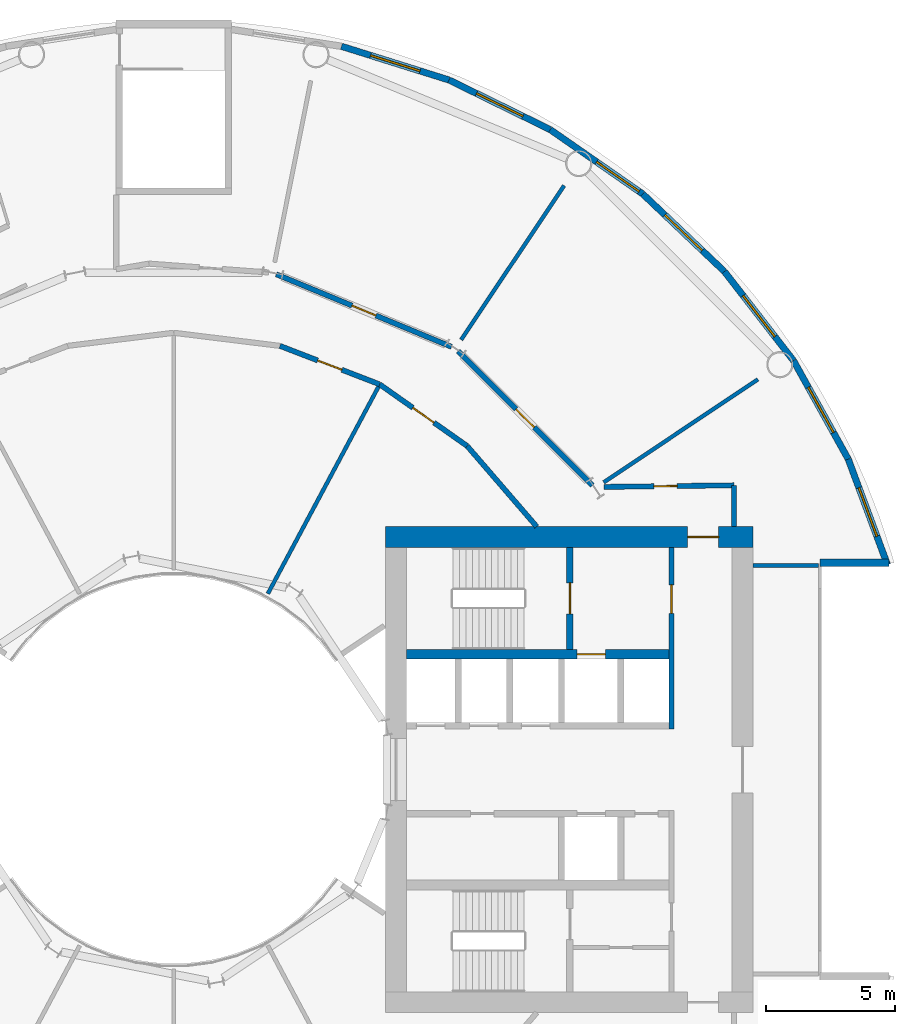
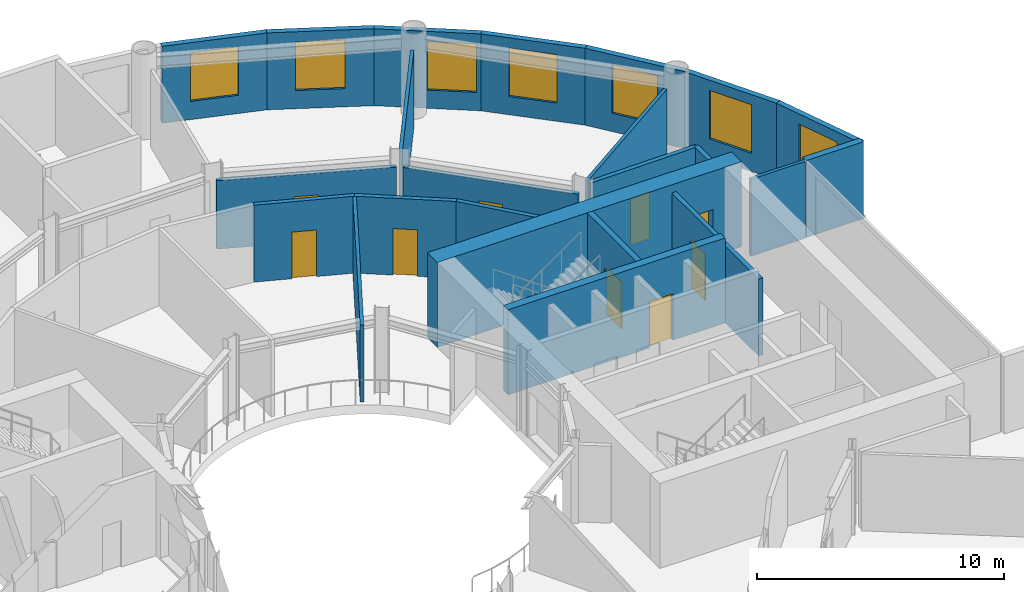
# One storey, part 9 of 13: 23 walls, 9 doors, 7 windows, 16 openings.
"""IFC4 building model written with IfcOpenShell, lengths in metres."""

from ifc_helpers import new_model, si_unit, direction, frame, frame_2d, origin, place, context, subcontext, project, spatial, rectangle, extrude, material, layer, layer_set, type_object, element, fill, save


model = new_model("IFC4")

# Units and contexts
model_context = context("Model", 3, precision=1e-05, world=origin(), true_north=direction((0.0, 1.0)))
body_context = subcontext(model_context, "Body", "Model", "MODEL_VIEW")
ifc_project = project(units=[si_unit("LENGTHUNIT", "METRE"), si_unit("AREAUNIT", "SQUARE_METRE"), si_unit("VOLUMEUNIT", "CUBIC_METRE"), si_unit("PLANEANGLEUNIT", "RADIAN"), si_unit("MASSUNIT", "GRAM", prefix="KILO")], contexts=[model_context])

# Site, building, storey
site_placement = place(None, origin())
site = spatial("IfcSite", under=ifc_project, at=site_placement, CompositionType="ELEMENT")
building_placement = place(site_placement, origin())
building = spatial("IfcBuilding", under=site, at=building_placement, Name="Maasbend Ring Residences", CompositionType="ELEMENT")
storey_placement = place(building_placement, frame((0.0, 0.0, 14.10009765625)))
storey = spatial("IfcBuildingStorey", under=building, at=storey_placement, Name="L03", CompositionType="ELEMENT", Elevation=14.10009765625)

# Wall, opening, door
ifc_material_1 = material(Name="Concrete C70/85", Category="concrete")
ifc_layer_1 = layer(ifc_material_1, 0.25)
ifc_layer_set_1 = layer_set([ifc_layer_1], Name="Concrete C70/85")
wall_type_1 = type_object("IfcWallType", Name="CORE WALL 250 C70/85", PredefinedType="SHEAR", material=ifc_layer_set_1)
wall_1_placement = place(storey_placement, frame((15.324951171875, 4.64990234375, 0.0), z_axis=(0.0, 0.0, 1.0), x_axis=(0.0, 1.0, 0.0)))
wall_1 = element("IfcWall", 1, at=wall_1_placement, inside=storey, type_object=wall_type_1, Name="L03 core E wall STEN", PredefinedType="SHEAR", context=body_context, shape_type="SweptSolid", body=[
    extrude(rectangle(XDim=3.9501953125, YDim=0.25, at=frame_2d((1.97509765625, 0.0))), origin(), (0.0, 0.0, 1.0), 4.199951171875),
])
opening_1_placement = place(wall_1_placement, frame((1.375, 0.0, 0.0)))
opening_1 = element("IfcOpeningElement", 2, at=opening_1_placement, cuts=wall_1, Name="Opening D-E0309", PredefinedType="OPENING", context=body_context, shape_type="SweptSolid", body=[
    extrude(rectangle(XDim=1.199951171875, YDim=2.300048828125, at=frame_2d((0.60009765625, 1.14990234375))), frame((0.0, 0.135009765625, 0.0), z_axis=(0.0, -1.0, 0.0), x_axis=(1.0, 0.0, 0.0)), (0.0, 0.0, 1.0), 0.27001953125),
])
ifc_material_2 = material(Name="Steel, powder coated", Category="steel")
door_type_1 = type_object("IfcDoorType", Name="STAIR DOOR 1200 X 2300 FD60", OperationType="NOTDEFINED", PredefinedType="DOOR", material=ifc_material_2)
door_1_placement = place(opening_1_placement, origin())
door_1 = element("IfcDoor", 3, at=door_1_placement, inside=storey, type_object=door_type_1, Name="Stair door ST-E L03", OperationType="SINGLE_SWING_LEFT", OverallHeight=2.300048828125, OverallWidth=1.199951171875, PredefinedType="DOOR", context=body_context, shape_type="SweptSolid", body=[
    extrude(rectangle(XDim=1.199951171875, YDim=2.300048828125, at=frame_2d((0.60009765625, 1.14990234375))), frame((0.0, 0.02490234375, 0.0), z_axis=(0.0, -1.0, 0.0), x_axis=(1.0, 0.0, 0.0)), (0.0, 0.0, 1.0), 0.050048828125),
])
fill(opening_1, door_1)

ifc_material_3 = material(Name="Concrete C70/85", Category="concrete")
ifc_layer_2 = layer(ifc_material_3, 0.375)
ifc_layer_set_2 = layer_set([ifc_layer_2], Name="Concrete C70/85")
wall_type_2 = type_object("IfcWallType", Name="CORE WALL 375 C70/85", PredefinedType="SHEAR", material=ifc_layer_set_2)
wall_2_placement = place(storey_placement, frame((9.0, 4.46240234375, 0.0), z_axis=(0.0, 0.0, 1.0), x_axis=(1.0, 0.0, 0.0)))
wall_2 = element("IfcWall", 4, at=wall_2_placement, inside=storey, type_object=wall_type_2, Name="L03 core E wall BN", PredefinedType="SHEAR", context=body_context, shape_type="SweptSolid", body=[
    extrude(rectangle(XDim=10.14990234375, YDim=0.375, at=frame_2d((5.074951171875, 0.0))), origin(), (0.0, 0.0, 1.0), 4.199951171875),
])
opening_2_placement = place(wall_2_placement, frame((6.60009765625, 0.0, 0.0)))
opening_2 = element("IfcOpeningElement", 5, at=opening_2_placement, cuts=wall_2, Name="Opening LD-E0304", PredefinedType="OPENING", context=body_context, shape_type="SweptSolid", body=[
    extrude(rectangle(XDim=1.10009765625, YDim=2.300048828125, at=frame_2d((0.550048828125, 1.14990234375))), frame((0.0, 0.197509765625, 0.0), z_axis=(0.0, -1.0, 0.0), x_axis=(1.0, 0.0, 0.0)), (0.0, 0.0, 1.0), 0.39501953125),
])
ifc_material_4 = material(Name="Stainless steel 316", Category="steel")
door_type_2 = type_object("IfcDoorType", Name="LANDING DOOR 1100 X 2300 FD60", OperationType="DOUBLE_DOOR_SLIDING", PredefinedType="DOOR", material=ifc_material_4)
door_2_placement = place(opening_2_placement, origin())
door_2 = element("IfcDoor", 6, at=door_2_placement, inside=storey, type_object=door_type_2, Name="Landing door FF-E L03", OperationType="DOUBLE_DOOR_SLIDING", OverallHeight=2.300048828125, OverallWidth=1.10009765625, PredefinedType="DOOR", context=body_context, shape_type="SweptSolid", body=[
    extrude(rectangle(XDim=1.10009765625, YDim=2.300048828125, at=frame_2d((0.550048828125, 1.14990234375))), frame((0.0, 0.02490234375, 0.0), z_axis=(0.0, -1.0, 0.0), x_axis=(1.0, 0.0, 0.0)), (0.0, 0.0, 1.0), 0.050048828125),
])
fill(opening_2, door_2)

ifc_material_5 = material(Name="Concrete C70/85", Category="concrete")
ifc_layer_3 = layer(ifc_material_5, 0.800048828125)
ifc_layer_set_3 = layer_set([ifc_layer_3], Name="Concrete C70/85")
wall_type_3 = type_object("IfcWallType", Name="CORE WALL 800 C70/85", PredefinedType="SHEAR", material=ifc_layer_set_3)
wall_3_placement = place(storey_placement, frame((22.39990234375, 9.0, 0.0), z_axis=(0.0, 0.0, 1.0), x_axis=(-1.0, 0.0, 0.0)))
wall_3 = element("IfcWall", 7, at=wall_3_placement, inside=storey, type_object=wall_type_3, Name="L03 core E wall PN", PredefinedType="SHEAR", context=body_context, shape_type="SweptSolid", body=[
    extrude(rectangle(XDim=14.199951171875, YDim=0.800048828125, at=frame_2d((7.10009765625, 0.0))), origin(), (0.0, 0.0, 1.0), 4.199951171875),
])
opening_3_placement = place(wall_3_placement, frame((1.324951171875, 0.0, 0.0)))
opening_3 = element("IfcOpeningElement", 8, at=opening_3_placement, cuts=wall_3, Name="Opening D-E0313", PredefinedType="OPENING", context=body_context, shape_type="SweptSolid", body=[
    extrude(rectangle(XDim=1.199951171875, YDim=2.300048828125, at=frame_2d((0.60009765625, 1.14990234375))), frame((0.0, 0.41015625, 0.0), z_axis=(0.0, -1.0, 0.0), x_axis=(1.0, 0.0, 0.0)), (0.0, 0.0, 1.0), 0.820068359375),
])
ifc_material_6 = material(Name="Steel, powder coated", Category="steel")
door_type_3 = type_object("IfcDoorType", Name="CORRIDOR DOOR 1200 X 2300 FD30S", OperationType="NOTDEFINED", PredefinedType="DOOR", material=ifc_material_6)
door_3_placement = place(opening_3_placement, origin())
door_3 = element("IfcDoor", 9, at=door_3_placement, inside=storey, type_object=door_type_3, Name="Corridor door L03", OperationType="SINGLE_SWING_RIGHT", OverallHeight=2.300048828125, OverallWidth=1.199951171875, PredefinedType="DOOR", context=body_context, shape_type="SweptSolid", body=[
    extrude(rectangle(XDim=1.199951171875, YDim=2.300048828125, at=frame_2d((0.60009765625, 1.14990234375))), frame((0.0, 0.02490234375, 0.0), z_axis=(0.0, -1.0, 0.0), x_axis=(1.0, 0.0, 0.0)), (0.0, 0.0, 1.0), 0.050048828125),
])
fill(opening_3, door_3)

# Wall
ifc_material_7 = material(Name="Concrete C30/37", Category="concrete")
ifc_layer_4 = layer(ifc_material_7, 0.199951171875)
ifc_layer_set_4 = layer_set([ifc_layer_4], Name="Concrete C30/37")
wall_type_4 = type_object("IfcWallType", Name="CORRIDOR WALL 200 CONCRETE", PredefinedType="PARTITIONING", material=ifc_layer_set_4)
wall_4_placement = place(storey_placement, frame((21.675048828125, 9.39990234375, 0.0), z_axis=(0.0, 0.0, 1.0), x_axis=(0.0, 1.0, 0.0)))
element("IfcWall", 10, at=wall_4_placement, inside=storey, type_object=wall_type_4, Name="U-L03-w003", PredefinedType="PARTITIONING", context=body_context, shape_type="SweptSolid", body=[
    extrude(rectangle(XDim=1.60009765625, YDim=0.199951171875, at=frame_2d((0.800048828125, 0.0))), origin(), (0.0, 0.0, 1.0), 3.7998046875),
])

# Wall, opening, door
wall_5_placement = place(storey_placement, frame((16.64306640625, 10.93798828125, 0.0), z_axis=(0.0, 0.0, 1.0), x_axis=(0.999924074118, 0.012322580895, 0.0)))
wall_5 = element("IfcWall", 11, at=wall_5_placement, inside=storey, type_object=wall_type_4, Name="U-L03-w049", PredefinedType="PARTITIONING", context=body_context, shape_type="SweptSolid", body=[
    extrude(rectangle(XDim=5.032470703125, YDim=0.199951171875, at=frame_2d((2.51611328125, 0.0))), origin(), (0.0, 0.0, 1.0), 3.7998046875),
])
opening_4_placement = place(wall_5_placement, frame((1.927978515625, 0.0, 0.0)))
opening_4 = element("IfcOpeningElement", 12, at=opening_4_placement, cuts=wall_5, Name="Opening D-0328", PredefinedType="OPENING", context=body_context, shape_type="SweptSolid", body=[
    extrude(rectangle(XDim=0.89990234375, YDim=2.300048828125, at=frame_2d((0.449951171875, 1.14990234375))), frame((0.0, 0.10986328125, 0.0), z_axis=(0.0, -1.0, 0.0), x_axis=(1.0, 0.0, 0.0)), (0.0, 0.0, 1.0), 0.219970703125),
])
ifc_material_8 = material(Name="Steel, fire-rated, painted", Category="steel")
door_type_4 = type_object("IfcDoorType", Name="SERVICE DOOR 900 X 2300 FIRE-RATED", OperationType="NOTDEFINED", PredefinedType="DOOR", material=ifc_material_8)
door_4_placement = place(opening_4_placement, origin())
door_4 = element("IfcDoor", 13, at=door_4_placement, inside=storey, type_object=door_type_4, Name="D-0328", OperationType="SINGLE_SWING_LEFT", OverallHeight=2.300048828125, OverallWidth=0.89990234375, PredefinedType="DOOR", context=body_context, shape_type="SweptSolid", body=[
    extrude(rectangle(XDim=0.89990234375, YDim=2.300048828125, at=frame_2d((0.449951171875, 1.14990234375))), frame((0.0, 0.02490234375, 0.0), z_axis=(0.0, -1.0, 0.0), x_axis=(1.0, 0.0, 0.0)), (0.0, 0.0, 1.0), 0.050048828125),
])
fill(opening_4, door_4)

wall_6_placement = place(storey_placement, frame((4.10595703125, 16.39404296875, 0.0), z_axis=(0.0, 0.0, 1.0), x_axis=(0.932943640288, -0.360022449363, 0.0)))
wall_6 = element("IfcWall", 14, at=wall_6_placement, inside=storey, type_object=wall_type_4, Name="U-L03-w055", PredefinedType="PARTITIONING", context=body_context, shape_type="SweptSolid", body=[
    extrude(rectangle(XDim=4.138671875, YDim=0.199951171875, at=frame_2d((2.0693359375, 0.0))), origin(), (0.0, 0.0, 1.0), 3.7998046875),
])
opening_5_placement = place(wall_6_placement, frame((1.569091796875, 0.0, 0.0)))
opening_5 = element("IfcOpeningElement", 15, at=opening_5_placement, cuts=wall_6, Name="Opening D-0314", PredefinedType="OPENING", context=body_context, shape_type="SweptSolid", body=[
    extrude(rectangle(XDim=1.0, YDim=2.300048828125, at=frame_2d((0.5, 1.14990234375))), frame((0.0, 0.10986328125, 0.0), z_axis=(0.0, -1.0, 0.0), x_axis=(1.0, 0.0, 0.0)), (0.0, 0.0, 1.0), 0.219970703125),
])
ifc_material_9 = material(Name="Timber, painted", Category="wood")
door_type_5 = type_object("IfcDoorType", Name="ROOM DOOR 1000 X 2300", OperationType="NOTDEFINED", PredefinedType="DOOR", material=ifc_material_9)
door_5_placement = place(opening_5_placement, origin())
door_5 = element("IfcDoor", 16, at=door_5_placement, inside=storey, type_object=door_type_5, Name="D-0314", OperationType="SINGLE_SWING_LEFT", OverallHeight=2.300048828125, OverallWidth=1.0, PredefinedType="DOOR", context=body_context, shape_type="SweptSolid", body=[
    extrude(rectangle(XDim=1.0, YDim=2.300048828125, at=frame_2d((0.5, 1.14990234375))), frame((0.0, 0.02490234375, 0.0), z_axis=(0.0, -1.0, 0.0), x_axis=(1.0, 0.0, 0.0)), (0.0, 0.0, 1.0), 0.050048828125),
])
fill(opening_5, door_5)

wall_7_placement = place(storey_placement, frame((7.967041015625, 14.904052734375, 0.0), z_axis=(0.0, 0.0, 1.0), x_axis=(0.817567680547, -0.575832517079, 0.0)))
wall_7 = element("IfcWall", 17, at=wall_7_placement, inside=storey, type_object=wall_type_4, Name="U-L03-w056", PredefinedType="PARTITIONING", context=body_context, shape_type="SweptSolid", body=[
    extrude(rectangle(XDim=4.13671875, YDim=0.199951171875, at=frame_2d((2.068359375, 0.0))), origin(), (0.0, 0.0, 1.0), 3.7998046875),
])
opening_6_placement = place(wall_7_placement, frame((1.568115234375, 0.0, 0.0)))
opening_6 = element("IfcOpeningElement", 18, at=opening_6_placement, cuts=wall_7, Name="Opening D-0313", PredefinedType="OPENING", context=body_context, shape_type="SweptSolid", body=[
    extrude(rectangle(XDim=1.0, YDim=2.300048828125, at=frame_2d((0.5, 1.14990234375))), frame((0.0, 0.10986328125, 0.0), z_axis=(0.0, -1.0, 0.0), x_axis=(1.0, 0.0, 0.0)), (0.0, 0.0, 1.0), 0.219970703125),
])
door_6_placement = place(opening_6_placement, origin())
door_6 = element("IfcDoor", 19, at=door_6_placement, inside=storey, type_object=door_type_5, Name="D-0313", OperationType="SINGLE_SWING_LEFT", OverallHeight=2.300048828125, OverallWidth=1.0, PredefinedType="DOOR", context=body_context, shape_type="SweptSolid", body=[
    extrude(rectangle(XDim=1.0, YDim=2.300048828125, at=frame_2d((0.5, 1.14990234375))), frame((0.0, 0.02490234375, 0.0), z_axis=(0.0, -1.0, 0.0), x_axis=(1.0, 0.0, 0.0)), (0.0, 0.0, 1.0), 0.050048828125),
])
fill(opening_6, door_6)

# Wall
wall_8_placement = place(storey_placement, frame((11.34912109375, 12.52197265625, 0.0), z_axis=(0.0, 0.0, 1.0), x_axis=(0.653274518104, -0.757121129012, 0.0)))
element("IfcWall", 20, at=wall_8_placement, inside=storey, type_object=wall_type_4, Name="U-L03-w057", PredefinedType="PARTITIONING", context=body_context, shape_type="SweptSolid", body=[
    extrude(rectangle(XDim=4.12353515625, YDim=0.199951171875, at=frame_2d((2.061767578125, 0.0))), origin(), (0.0, 0.0, 1.0), 3.7998046875),
])

# Wall, opening, door
wall_9_placement = place(storey_placement, frame((3.966064453125, 19.1640625, 0.0), z_axis=(0.0, 0.0, 1.0), x_axis=(0.923912243701, -0.382604451019, 0.0)))
wall_9 = element("IfcWall", 21, at=wall_9_placement, inside=storey, type_object=wall_type_4, Name="U-L03-w059", PredefinedType="PARTITIONING", context=body_context, shape_type="SweptSolid", body=[
    extrude(rectangle(XDim=7.33935546875, YDim=0.199951171875, at=frame_2d((3.669677734375, 0.0))), origin(), (0.0, 0.0, 1.0), 3.3798828125),
])
opening_7_placement = place(wall_9_placement, frame((3.169921875, 0.0, 0.0)))
opening_7 = element("IfcOpeningElement", 22, at=opening_7_placement, cuts=wall_9, Name="Opening D-0310", PredefinedType="OPENING", context=body_context, shape_type="SweptSolid", body=[
    extrude(rectangle(XDim=1.0, YDim=2.300048828125, at=frame_2d((0.5, 1.14990234375))), frame((0.0, 0.10986328125, 0.0), z_axis=(0.0, -1.0, 0.0), x_axis=(1.0, 0.0, 0.0)), (0.0, 0.0, 1.0), 0.219970703125),
])
door_7_placement = place(opening_7_placement, origin())
door_7 = element("IfcDoor", 23, at=door_7_placement, inside=storey, type_object=door_type_5, Name="D-0310", OperationType="SINGLE_SWING_RIGHT", OverallHeight=2.300048828125, OverallWidth=1.0, PredefinedType="DOOR", context=body_context, shape_type="SweptSolid", body=[
    extrude(rectangle(XDim=1.0, YDim=2.300048828125, at=frame_2d((0.5, 1.14990234375))), frame((0.0, 0.02490234375, 0.0), z_axis=(0.0, -1.0, 0.0), x_axis=(1.0, 0.0, 0.0)), (0.0, 0.0, 1.0), 0.050048828125),
])
fill(opening_7, door_7)

wall_10_placement = place(storey_placement, frame((10.998046875, 16.18798828125, 0.0), z_axis=(0.0, 0.0, 1.0), x_axis=(0.707106781187, -0.707106781187, 0.0)))
wall_10 = element("IfcWall", 24, at=wall_10_placement, inside=storey, type_object=wall_type_4, Name="U-L03-w060", PredefinedType="PARTITIONING", context=body_context, shape_type="SweptSolid", body=[
    extrude(rectangle(XDim=7.339599609375, YDim=0.199951171875, at=frame_2d((3.669921875, 0.0))), origin(), (0.0, 0.0, 1.0), 3.3798828125),
])
opening_8_placement = place(wall_10_placement, frame((3.169921875, 0.0, 0.0)))
opening_8 = element("IfcOpeningElement", 25, at=opening_8_placement, cuts=wall_10, Name="Opening D-0309", PredefinedType="OPENING", context=body_context, shape_type="SweptSolid", body=[
    extrude(rectangle(XDim=1.0, YDim=2.300048828125, at=frame_2d((0.5, 1.14990234375))), frame((0.0, 0.10986328125, 0.0), z_axis=(0.0, -1.0, 0.0), x_axis=(1.0, 0.0, 0.0)), (0.0, 0.0, 1.0), 0.219970703125),
])
door_8_placement = place(opening_8_placement, origin())
door_8 = element("IfcDoor", 26, at=door_8_placement, inside=storey, type_object=door_type_5, Name="D-0309", OperationType="SINGLE_SWING_RIGHT", OverallHeight=2.300048828125, OverallWidth=1.0, PredefinedType="DOOR", context=body_context, shape_type="SweptSolid", body=[
    extrude(rectangle(XDim=1.0, YDim=2.300048828125, at=frame_2d((0.5, 1.14990234375))), frame((0.0, 0.02490234375, 0.0), z_axis=(0.0, -1.0, 0.0), x_axis=(1.0, 0.0, 0.0)), (0.0, 0.0, 1.0), 0.050048828125),
])
fill(opening_8, door_8)

# Wall, opening, window
ifc_material_10 = material(Name="Aluminium clad insulated panel", Category="aluminium")
ifc_layer_5 = layer(ifc_material_10, 0.25)
ifc_layer_set_5 = layer_set([ifc_layer_5], Name="EW-GL")
wall_type_5 = type_object("IfcWallType", Name="EW-GL", PredefinedType="SOLIDWALL", material=ifc_layer_set_5)
wall_11_placement = place(storey_placement, frame((27.610107421875, 7.924072265625, 0.0), z_axis=(0.0, 0.0, 1.0), x_axis=(-0.348003729264, 0.937493148998, 0.0)))
wall_11 = element("IfcWall", 27, at=wall_11_placement, inside=storey, type_object=wall_type_5, Name="Community floor wall 01", PredefinedType="SOLIDWALL", context=body_context, shape_type="SweptSolid", body=[
    extrude(rectangle(XDim=4.359375, YDim=0.25, at=frame_2d((2.1796875, 0.0))), origin(), (0.0, 0.0, 1.0), 3.7998046875),
])
opening_9_placement = place(wall_11_placement, frame((1.179931640625, 0.0, 0.89990234375)))
opening_9 = element("IfcOpeningElement", 28, at=opening_9_placement, cuts=wall_11, Name="Opening W-BD", PredefinedType="OPENING", context=body_context, shape_type="SweptSolid", body=[
    extrude(rectangle(XDim=2.0, YDim=2.39990234375, at=frame_2d((1.0, 1.199951171875))), frame((0.0, 0.135009765625, 0.0), z_axis=(0.0, -1.0, 0.0), x_axis=(1.0, 0.0, 0.0)), (0.0, 0.0, 1.0), 0.27001953125),
])
ifc_material_11 = material(Name="Aluminium and clear glass", Category="aluminium")
window_type = type_object("IfcWindowType", Name="W-BD", PartitioningType="DOUBLE_PANEL_VERTICAL", PredefinedType="WINDOW", material=ifc_material_11)
window_1_placement = place(opening_9_placement, origin())
window_1 = element("IfcWindow", 29, at=window_1_placement, inside=storey, type_object=window_type, Name="Community floor window 01", OverallHeight=2.39990234375, OverallWidth=2.0, PartitioningType="SINGLE_PANEL", PredefinedType="WINDOW", context=body_context, shape_type="SweptSolid", body=[
    extrude(rectangle(XDim=2.0, YDim=2.39990234375, at=frame_2d((1.0, 1.199951171875))), frame((0.0, 0.030029296875, 0.0), z_axis=(0.0, -1.0, 0.0), x_axis=(1.0, 0.0, 0.0)), (0.0, 0.0, 1.0), 0.06005859375),
])
fill(opening_9, window_1)

wall_12_placement = place(storey_placement, frame((26.093017578125, 12.010986328125, 0.0), z_axis=(0.0, 0.0, 1.0), x_axis=(-0.485761785263, 0.8740912355, 0.0)))
wall_12 = element("IfcWall", 30, at=wall_12_placement, inside=storey, type_object=wall_type_5, Name="Community floor wall 02", PredefinedType="SOLIDWALL", context=body_context, shape_type="SweptSolid", body=[
    extrude(rectangle(XDim=4.360107421875, YDim=0.25, at=frame_2d((2.18017578125, 0.0))), origin(), (0.0, 0.0, 1.0), 3.7998046875),
])
opening_10_placement = place(wall_12_placement, frame((1.179931640625, 0.0, 0.89990234375)))
opening_10 = element("IfcOpeningElement", 31, at=opening_10_placement, cuts=wall_12, Name="Opening W-BD", PredefinedType="OPENING", context=body_context, shape_type="SweptSolid", body=[
    extrude(rectangle(XDim=2.0, YDim=2.39990234375, at=frame_2d((1.0, 1.199951171875))), frame((0.0, 0.135009765625, 0.0), z_axis=(0.0, -1.0, 0.0), x_axis=(1.0, 0.0, 0.0)), (0.0, 0.0, 1.0), 0.27001953125),
])
window_2_placement = place(opening_10_placement, origin())
window_2 = element("IfcWindow", 32, at=window_2_placement, inside=storey, type_object=window_type, Name="Community floor window 02", OverallHeight=2.39990234375, OverallWidth=2.0, PartitioningType="SINGLE_PANEL", PredefinedType="WINDOW", context=body_context, shape_type="SweptSolid", body=[
    extrude(rectangle(XDim=2.0, YDim=2.39990234375, at=frame_2d((1.0, 1.199951171875))), frame((0.0, 0.030029296875, 0.0), z_axis=(0.0, -1.0, 0.0), x_axis=(1.0, 0.0, 0.0)), (0.0, 0.0, 1.0), 0.06005859375),
])
fill(opening_10, window_2)

wall_13_placement = place(storey_placement, frame((23.97509765625, 15.822021484375, 0.0), z_axis=(0.0, 0.0, 1.0), x_axis=(-0.612637256412, 0.790364214812, 0.0)))
wall_13 = element("IfcWall", 33, at=wall_13_placement, inside=storey, type_object=wall_type_5, Name="Community floor wall 03", PredefinedType="SOLIDWALL", context=body_context, shape_type="SweptSolid", body=[
    extrude(rectangle(XDim=4.360107421875, YDim=0.25, at=frame_2d((2.18017578125, 0.0))), origin(), (0.0, 0.0, 1.0), 3.7998046875),
])
opening_11_placement = place(wall_13_placement, frame((1.179931640625, 0.0, 0.89990234375)))
opening_11 = element("IfcOpeningElement", 34, at=opening_11_placement, cuts=wall_13, Name="Opening W-BD", PredefinedType="OPENING", context=body_context, shape_type="SweptSolid", body=[
    extrude(rectangle(XDim=2.0, YDim=2.39990234375, at=frame_2d((1.0, 1.199951171875))), frame((0.0, 0.135009765625, 0.0), z_axis=(0.0, -1.0, 0.0), x_axis=(1.0, 0.0, 0.0)), (0.0, 0.0, 1.0), 0.27001953125),
])
window_3_placement = place(opening_11_placement, origin())
window_3 = element("IfcWindow", 35, at=window_3_placement, inside=storey, type_object=window_type, Name="Community floor window 03", OverallHeight=2.39990234375, OverallWidth=2.0, PartitioningType="SINGLE_PANEL", PredefinedType="WINDOW", context=body_context, shape_type="SweptSolid", body=[
    extrude(rectangle(XDim=2.0, YDim=2.39990234375, at=frame_2d((1.0, 1.199951171875))), frame((0.0, 0.030029296875, 0.0), z_axis=(0.0, -1.0, 0.0), x_axis=(1.0, 0.0, 0.0)), (0.0, 0.0, 1.0), 0.06005859375),
])
fill(opening_11, window_3)

wall_14_placement = place(storey_placement, frame((21.303955078125, 19.26806640625, 0.0), z_axis=(0.0, 0.0, 1.0), x_axis=(-0.725101501119, 0.68864200647, 0.0)))
wall_14 = element("IfcWall", 36, at=wall_14_placement, inside=storey, type_object=wall_type_5, Name="Community floor wall 04", PredefinedType="SOLIDWALL", context=body_context, shape_type="SweptSolid", body=[
    extrude(rectangle(XDim=4.359130859375, YDim=0.25, at=frame_2d((2.1796875, 0.0))), origin(), (0.0, 0.0, 1.0), 3.7998046875),
])
opening_12_placement = place(wall_14_placement, frame((1.179931640625, 0.0, 0.89990234375)))
opening_12 = element("IfcOpeningElement", 37, at=opening_12_placement, cuts=wall_14, Name="Opening W-BD", PredefinedType="OPENING", context=body_context, shape_type="SweptSolid", body=[
    extrude(rectangle(XDim=2.0, YDim=2.39990234375, at=frame_2d((1.0, 1.199951171875))), frame((0.0, 0.135009765625, 0.0), z_axis=(0.0, -1.0, 0.0), x_axis=(1.0, 0.0, 0.0)), (0.0, 0.0, 1.0), 0.27001953125),
])
window_4_placement = place(opening_12_placement, origin())
window_4 = element("IfcWindow", 38, at=window_4_placement, inside=storey, type_object=window_type, Name="Community floor window 04", OverallHeight=2.39990234375, OverallWidth=2.0, PartitioningType="SINGLE_PANEL", PredefinedType="WINDOW", context=body_context, shape_type="SweptSolid", body=[
    extrude(rectangle(XDim=2.0, YDim=2.39990234375, at=frame_2d((1.0, 1.199951171875))), frame((0.0, 0.030029296875, 0.0), z_axis=(0.0, -1.0, 0.0), x_axis=(1.0, 0.0, 0.0)), (0.0, 0.0, 1.0), 0.06005859375),
])
fill(opening_12, window_4)

wall_15_placement = place(storey_placement, frame((18.14306640625, 22.27001953125, 0.0), z_axis=(0.0, 0.0, 1.0), x_axis=(-0.820990800869, 0.57094141984, 0.0)))
wall_15 = element("IfcWall", 39, at=wall_15_placement, inside=storey, type_object=wall_type_5, Name="Community floor wall 05", PredefinedType="SOLIDWALL", context=body_context, shape_type="SweptSolid", body=[
    extrude(rectangle(XDim=4.359375, YDim=0.25, at=frame_2d((2.1796875, 0.0))), origin(), (0.0, 0.0, 1.0), 3.7998046875),
])
opening_13_placement = place(wall_15_placement, frame((0.177001953125, 0.0, 0.89990234375)))
opening_13 = element("IfcOpeningElement", 40, at=opening_13_placement, cuts=wall_15, Name="Opening W-BD", PredefinedType="OPENING", context=body_context, shape_type="SweptSolid", body=[
    extrude(rectangle(XDim=2.0, YDim=2.39990234375, at=frame_2d((1.0, 1.199951171875))), frame((0.0, 0.135009765625, 0.0), z_axis=(0.0, -1.0, 0.0), x_axis=(1.0, 0.0, 0.0)), (0.0, 0.0, 1.0), 0.27001953125),
])
window_5_placement = place(opening_13_placement, origin())
window_5 = element("IfcWindow", 41, at=window_5_placement, inside=storey, type_object=window_type, Name="Community floor window 05", OverallHeight=2.39990234375, OverallWidth=2.0, PartitioningType="SINGLE_PANEL", PredefinedType="WINDOW", context=body_context, shape_type="SweptSolid", body=[
    extrude(rectangle(XDim=2.0, YDim=2.39990234375, at=frame_2d((1.0, 1.199951171875))), frame((0.0, 0.030029296875, 0.0), z_axis=(0.0, -1.0, 0.0), x_axis=(1.0, 0.0, 0.0)), (0.0, 0.0, 1.0), 0.06005859375),
])
fill(opening_13, window_5)

wall_16_placement = place(storey_placement, frame((14.56396484375, 24.759033203125, 0.0), z_axis=(0.0, 0.0, 1.0), x_axis=(-0.897938079481, 0.440121807478, 0.0)))
wall_16 = element("IfcWall", 42, at=wall_16_placement, inside=storey, type_object=wall_type_5, Name="Community floor wall 06", PredefinedType="SOLIDWALL", context=body_context, shape_type="SweptSolid", body=[
    extrude(rectangle(XDim=4.360107421875, YDim=0.25, at=frame_2d((2.18017578125, 0.0))), origin(), (0.0, 0.0, 1.0), 3.7998046875),
])
opening_14_placement = place(wall_16_placement, frame((1.179931640625, 0.0, 0.89990234375)))
opening_14 = element("IfcOpeningElement", 43, at=opening_14_placement, cuts=wall_16, Name="Opening W-BD", PredefinedType="OPENING", context=body_context, shape_type="SweptSolid", body=[
    extrude(rectangle(XDim=2.0, YDim=2.39990234375, at=frame_2d((1.0, 1.199951171875))), frame((0.0, 0.135009765625, 0.0), z_axis=(0.0, -1.0, 0.0), x_axis=(1.0, 0.0, 0.0)), (0.0, 0.0, 1.0), 0.27001953125),
])
window_6_placement = place(opening_14_placement, origin())
window_6 = element("IfcWindow", 44, at=window_6_placement, inside=storey, type_object=window_type, Name="Community floor window 06", OverallHeight=2.39990234375, OverallWidth=2.0, PartitioningType="SINGLE_PANEL", PredefinedType="WINDOW", context=body_context, shape_type="SweptSolid", body=[
    extrude(rectangle(XDim=2.0, YDim=2.39990234375, at=frame_2d((1.0, 1.199951171875))), frame((0.0, 0.030029296875, 0.0), z_axis=(0.0, -1.0, 0.0), x_axis=(1.0, 0.0, 0.0)), (0.0, 0.0, 1.0), 0.06005859375),
])
fill(opening_14, window_6)

wall_17_placement = place(storey_placement, frame((10.64892578125, 26.677978515625, 0.0), z_axis=(0.0, 0.0, 1.0), x_axis=(-0.954219534331, 0.299107138498, 0.0)))
wall_17 = element("IfcWall", 45, at=wall_17_placement, inside=storey, type_object=wall_type_5, Name="Community floor wall 07", PredefinedType="SOLIDWALL", context=body_context, shape_type="SweptSolid", body=[
    extrude(rectangle(XDim=4.359375, YDim=0.25, at=frame_2d((2.1796875, 0.0))), origin(), (0.0, 0.0, 1.0), 3.7998046875),
])
opening_15_placement = place(wall_17_placement, frame((1.179931640625, 0.0, 0.89990234375)))
opening_15 = element("IfcOpeningElement", 46, at=opening_15_placement, cuts=wall_17, Name="Opening W-BD", PredefinedType="OPENING", context=body_context, shape_type="SweptSolid", body=[
    extrude(rectangle(XDim=2.0, YDim=2.39990234375, at=frame_2d((1.0, 1.199951171875))), frame((0.0, 0.135009765625, 0.0), z_axis=(0.0, -1.0, 0.0), x_axis=(1.0, 0.0, 0.0)), (0.0, 0.0, 1.0), 0.27001953125),
])
window_7_placement = place(opening_15_placement, origin())
window_7 = element("IfcWindow", 47, at=window_7_placement, inside=storey, type_object=window_type, Name="Community floor window 07", OverallHeight=2.39990234375, OverallWidth=2.0, PartitioningType="SINGLE_PANEL", PredefinedType="WINDOW", context=body_context, shape_type="SweptSolid", body=[
    extrude(rectangle(XDim=2.0, YDim=2.39990234375, at=frame_2d((1.0, 1.199951171875))), frame((0.0, 0.030029296875, 0.0), z_axis=(0.0, -1.0, 0.0), x_axis=(1.0, 0.0, 0.0)), (0.0, 0.0, 1.0), 0.06005859375),
])
fill(opening_15, window_7)

# Walls
ifc_material_12 = material(Name="Aluminium clad insulated panel", Category="aluminium")
ifc_layer_6 = layer(ifc_material_12, 0.300048828125)
ifc_layer_set_6 = layer_set([ifc_layer_6], Name="EW-RET")
wall_type_6 = type_object("IfcWallType", Name="EW-RET", PredefinedType="SOLIDWALL", material=ifc_layer_set_6)
wall_18_placement = place(storey_placement, frame((25.0, 8.0, 0.0), z_axis=(0.0, 0.0, 1.0), x_axis=(1.0, 0.0, 0.0)))
element("IfcWall", 48, at=wall_18_placement, inside=storey, type_object=wall_type_6, Name="Notch return wall east north", PredefinedType="SOLIDWALL", context=body_context, shape_type="SweptSolid", body=[
    extrude(rectangle(XDim=2.6669921875, YDim=0.300048828125, at=frame_2d((1.33349609375, 0.0))), origin(), (0.0, 0.0, 1.0), 3.7998046875),
])
ifc_material_13 = material(Name="Gypsum board on steel studs", Category="steel")
ifc_layer_7 = layer(ifc_material_13, 0.14990234375)
ifc_layer_set_7 = layer_set([ifc_layer_7], Name="PARTITION 150 EI 60")
wall_type_7 = type_object("IfcWallType", Name="PARTITION 150 EI 60", PredefinedType="PARTITIONING", material=ifc_layer_set_7)
wall_19_placement = place(storey_placement, frame((22.39990234375, 7.89990234375, 0.0), z_axis=(0.0, 0.0, 1.0), x_axis=(1.0, 0.0, 0.0)))
element("IfcWall", 49, at=wall_19_placement, inside=storey, type_object=wall_type_7, Name="L03 core E wall CITN", PredefinedType="PARTITIONING", context=body_context, shape_type="SweptSolid", body=[
    extrude(rectangle(XDim=2.5400390625, YDim=0.14990234375, at=frame_2d((1.27001953125, 0.0))), origin(), (0.0, 0.0, 1.0), 3.7998046875),
])
ifc_material_14 = material(Name="Gypsum board on steel studs", Category="steel")
ifc_layer_8 = layer(ifc_material_14, 0.14990234375)
ifc_layer_set_8 = layer_set([ifc_layer_8], Name="PARTITION 150 GYPSUM")
wall_type_8 = type_object("IfcWallType", Name="PARTITION 150 GYPSUM", PredefinedType="PARTITIONING", material=ifc_layer_set_8)
wall_20_placement = place(storey_placement, frame((3.639892578125, 6.80810546875, 0.0), z_axis=(0.0, 0.0, 1.0), x_axis=(0.471460365694, 0.881887251059, 0.0)))
element("IfcWall", 50, at=wall_20_placement, inside=storey, type_object=wall_type_8, Name="U-L03-w036", PredefinedType="PARTITIONING", context=body_context, shape_type="SweptSolid", body=[
    extrude(rectangle(XDim=9.18017578125, YDim=0.14990234375, at=frame_2d((4.590087890625, 0.0))), origin(), (0.0, 0.0, 1.0), 3.7998046875),
])
wall_21_placement = place(storey_placement, frame((11.117919921875, 16.633056640625, 0.0), z_axis=(0.0, 0.0, 1.0), x_axis=(0.555650828752, 0.831415754305, 0.0)))
element("IfcWall", 51, at=wall_21_placement, inside=storey, type_object=wall_type_8, Name="U-L03-w041", PredefinedType="PARTITIONING", context=body_context, shape_type="SweptSolid", body=[
    extrude(rectangle(XDim=7.16845703125, YDim=0.14990234375, at=frame_2d((3.584228515625, 0.0))), origin(), (0.0, 0.0, 1.0), 3.7998046875),
])
wall_22_placement = place(storey_placement, frame((16.635009765625, 11.114990234375, 0.0), z_axis=(0.0, 0.0, 1.0), x_axis=(0.831431488123, 0.555627285648, 0.0)))
element("IfcWall", 52, at=wall_22_placement, inside=storey, type_object=wall_type_8, Name="U-L03-w044", PredefinedType="PARTITIONING", context=body_context, shape_type="SweptSolid", body=[
    extrude(rectangle(XDim=7.168212890625, YDim=0.14990234375, at=frame_2d((3.583984375, 0.0))), origin(), (0.0, 0.0, 1.0), 3.7998046875),
])

# Wall, opening, door
ifc_material_15 = material(Name="Concrete C30/37", Category="concrete")
ifc_layer_9 = layer(ifc_material_15, 0.199951171875)
ifc_layer_set_9 = layer_set([ifc_layer_9], Name="Concrete C30/37")
wall_type_9 = type_object("IfcWallType", Name="SHAFT WALL 200 EI 120", PredefinedType="SOLIDWALL", material=ifc_layer_set_9)
wall_23_placement = place(storey_placement, frame((19.25, 1.574951171875, 0.0), z_axis=(0.0, 0.0, 1.0), x_axis=(0.0, 1.0, 0.0)))
wall_23 = element("IfcWall", 53, at=wall_23_placement, inside=storey, type_object=wall_type_9, Name="L03 core E wall ENDN", PredefinedType="SOLIDWALL", context=body_context, shape_type="SweptSolid", body=[
    extrude(rectangle(XDim=7.025146484375, YDim=0.199951171875, at=frame_2d((3.5126953125, 0.0))), origin(), (0.0, 0.0, 1.0), 3.7998046875),
])
opening_16_placement = place(wall_23_placement, frame((4.47509765625, 0.0, 0.0)))
opening_16 = element("IfcOpeningElement", 54, at=opening_16_placement, cuts=wall_23, Name="Opening D-E0311", PredefinedType="OPENING", context=body_context, shape_type="SweptSolid", body=[
    extrude(rectangle(XDim=1.10009765625, YDim=2.300048828125, at=frame_2d((0.550048828125, 1.14990234375))), frame((0.0, 0.10986328125, 0.0), z_axis=(0.0, -1.0, 0.0), x_axis=(1.0, 0.0, 0.0)), (0.0, 0.0, 1.0), 0.219970703125),
])
ifc_material_16 = material(Name="Steel, powder coated", Category="steel")
door_type_6 = type_object("IfcDoorType", Name="LOBBY DOOR 1100 X 2300 FD60", OperationType="NOTDEFINED", PredefinedType="DOOR", material=ifc_material_16)
door_9_placement = place(opening_16_placement, origin())
door_9 = element("IfcDoor", 55, at=door_9_placement, inside=storey, type_object=door_type_6, Name="Lobby door L03", OperationType="SINGLE_SWING_LEFT", OverallHeight=2.300048828125, OverallWidth=1.10009765625, PredefinedType="DOOR", context=body_context, shape_type="SweptSolid", body=[
    extrude(rectangle(XDim=1.10009765625, YDim=2.300048828125, at=frame_2d((0.550048828125, 1.14990234375))), frame((0.0, 0.02490234375, 0.0), z_axis=(0.0, -1.0, 0.0), x_axis=(1.0, 0.0, 0.0)), (0.0, 0.0, 1.0), 0.050048828125),
])
fill(opening_16, door_9)

save(model, "model.ifc")
